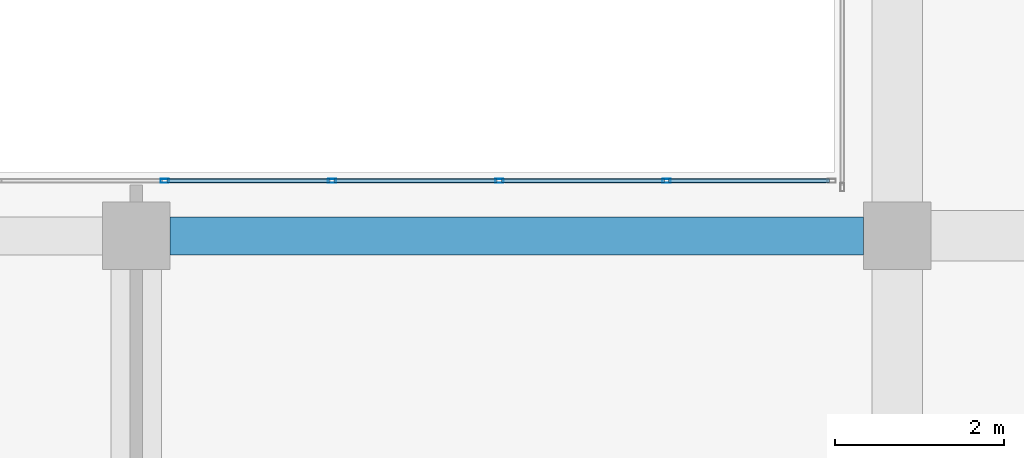
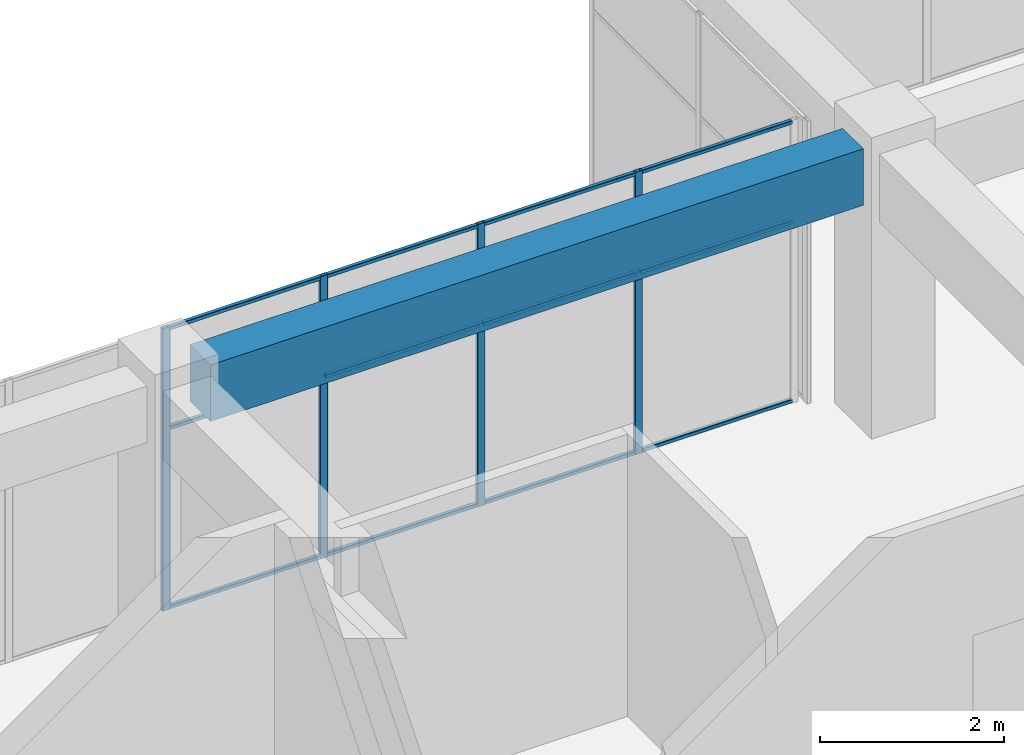
# One storey, part 33 of 55: 16 members, 1 beam, 1 element without a shape of its own.
"""IFC4 building model written with IfcOpenShell, lengths in metres."""

from ifc_helpers import new_model, si_unit, direction, frame, origin, origin_2d, place, context, subcontext, project, spatial, rectangle, hollow_rectangle, extrude, material, layer, layer_set, material_profile, profile_set, type_object, element, aggregate, save


model = new_model("IFC4")

# Units and contexts
model_context = context("Model", 3, precision=1e-05, world=origin(), true_north=direction((0.0, 1.0)))
body_context = subcontext(model_context, "Body", "Model", "MODEL_VIEW")
ifc_project = project(units=[si_unit("LENGTHUNIT", "METRE"), si_unit("AREAUNIT", "SQUARE_METRE"), si_unit("VOLUMEUNIT", "CUBIC_METRE"), si_unit("PLANEANGLEUNIT", "RADIAN"), si_unit("MASSUNIT", "GRAM", prefix="KILO")], contexts=[model_context])

# Site, building, storey
site_placement = place(None, origin())
site = spatial("IfcSite", under=ifc_project, at=site_placement, CompositionType="ELEMENT")
building_placement = place(site_placement, origin())
building = spatial("IfcBuilding", under=site, at=building_placement, Name="Tuart Plaza Theatre", CompositionType="ELEMENT")
storey_placement = place(building_placement, frame((0.0, 0.0, 21.5)))
storey = spatial("IfcBuildingStorey", under=building, at=storey_placement, Name="L05", CompositionType="ELEMENT", Elevation=21.5)

# Beam
ifc_material_1 = material(Name="Concrete N40 (40 MPa)", Category="concrete")
ifc_material_profile_1 = material_profile(ifc_material_1, rectangle(XDim=0.449951171875, YDim=0.75, at=origin_2d()), Name="BEAM 450x750 Concrete N40 (40 MPa)")
ifc_profile_set_1 = profile_set([ifc_material_profile_1], Name="Concrete N40 (40 MPa)")
beam_type = type_object("IfcBeamType", Name="BEAM 450x750 Concrete N40 (40 MPa)", PredefinedType="BEAM", material=ifc_profile_set_1)
beam_placement = place(storey_placement, frame((123.39990234375, 92.0, 3.375), z_axis=(1.0, 0.0, 0.0), x_axis=(0.0, 1.0, 0.0)))
element("IfcBeam", 1, at=beam_placement, inside=storey, type_object=beam_type, Name="RB219", PredefinedType="BEAM", context=body_context, shape_type="SweptSolid", body=[
    extrude(rectangle(XDim=0.449951171875, YDim=0.75, at=origin_2d()), origin(), (0.0, 0.0, 1.0), 8.2001953125),
])

# Curtain wall, members
ifc_material_2 = material(Name="Aluminium and glass", Category="aluminium")
ifc_layer = layer(ifc_material_2, 0.10009765625)
ifc_layer_set = layer_set([ifc_layer], Name="CURTAIN WALL 2000 module")
curtain_wall_type = type_object("IfcCurtainWallType", Name="CURTAIN WALL 2000 module", PredefinedType="NOTDEFINED", material=ifc_layer_set)
curtain_wall_placement = place(storey_placement, origin())
curtain_wall = element("IfcCurtainWall", 2, at=curtain_wall_placement, inside=storey, type_object=curtain_wall_type, Name="CW84", PredefinedType="NOTDEFINED")
ifc_material_3 = material(Name="Aluminium 6063-T5", Category="aluminium")
ifc_material_profile_2 = material_profile(ifc_material_3, hollow_rectangle(XDim=0.050048828125, YDim=0.10009765625, WallThickness=0.00390625, InnerFilletRadius=0.00390625, OuterFilletRadius=0.008056640625, at=origin_2d()), Name="RHS 100x50x4")
ifc_profile_set_2 = profile_set([ifc_material_profile_2], Name="Aluminium 6063-T5")
member_type_1 = type_object("IfcMemberType", Name="MULLION RHS 100x50x4", PredefinedType="MULLION", material=ifc_profile_set_2)
member_1_placement = place(storey_placement, frame((129.272216796875, 92.64990234375, 0.0), z_axis=(0.0, 0.0, 1.0), x_axis=(0.0, -1.0, 0.0)))
member_1 = element("IfcMember", 3, at=member_1_placement, type_object=member_type_1, Name="CW84 mullion 2", PredefinedType="MULLION", context=body_context, shape_type="SweptSolid", body=[
    extrude(hollow_rectangle(XDim=0.050048828125, YDim=0.10009765625, WallThickness=0.00390625, InnerFilletRadius=0.00390625, OuterFilletRadius=0.008056640625, at=origin_2d()), origin(), (0.0, 0.0, 1.0), 3.75),
])
member_2_placement = place(storey_placement, frame((127.29443359375, 92.64990234375, 0.0), z_axis=(0.0, 0.0, 1.0), x_axis=(0.0, -1.0, 0.0)))
member_2 = element("IfcMember", 4, at=member_2_placement, type_object=member_type_1, Name="CW84 mullion 3", PredefinedType="MULLION", context=body_context, shape_type="SweptSolid", body=[
    extrude(hollow_rectangle(XDim=0.050048828125, YDim=0.10009765625, WallThickness=0.00390625, InnerFilletRadius=0.00390625, OuterFilletRadius=0.008056640625, at=origin_2d()), origin(), (0.0, 0.0, 1.0), 3.75),
])
member_3_placement = place(storey_placement, frame((125.316650390625, 92.64990234375, 0.0), z_axis=(0.0, 0.0, 1.0), x_axis=(0.0, -1.0, 0.0)))
member_3 = element("IfcMember", 5, at=member_3_placement, type_object=member_type_1, Name="CW84 mullion 4", PredefinedType="MULLION", context=body_context, shape_type="SweptSolid", body=[
    extrude(hollow_rectangle(XDim=0.050048828125, YDim=0.10009765625, WallThickness=0.00390625, InnerFilletRadius=0.00390625, OuterFilletRadius=0.008056640625, at=origin_2d()), origin(), (0.0, 0.0, 1.0), 3.75),
])
member_4_placement = place(storey_placement, frame((123.3388671875, 92.64990234375, 0.0), z_axis=(0.0, 0.0, 1.0), x_axis=(0.0, -1.0, 0.0)))
member_4 = element("IfcMember", 6, at=member_4_placement, type_object=member_type_1, Name="CW84 mullion 5", PredefinedType="MULLION", context=body_context, shape_type="SweptSolid", body=[
    extrude(hollow_rectangle(XDim=0.050048828125, YDim=0.10009765625, WallThickness=0.00390625, InnerFilletRadius=0.00390625, OuterFilletRadius=0.008056640625, at=origin_2d()), origin(), (0.0, 0.0, 1.0), 3.75),
])
ifc_material_4 = material(Name="Aluminium 6063-T5", Category="aluminium")
ifc_material_profile_3 = material_profile(ifc_material_4, hollow_rectangle(XDim=0.050048828125, YDim=0.050048828125, WallThickness=0.00390625, InnerFilletRadius=0.00390625, OuterFilletRadius=0.008056640625, at=origin_2d()), Name="RHS 50x50x4")
ifc_profile_set_3 = profile_set([ifc_material_profile_3], Name="Aluminium 6063-T5")
member_type_2 = type_object("IfcMemberType", Name="TRANSOM RHS 50x50x4", PredefinedType="USERDEFINED", material=ifc_profile_set_3)
member_5_placement = place(storey_placement, frame((131.199951171875, 92.64990234375, 0.02490234375), z_axis=(-1.0, 0.0, 0.0), x_axis=(0.0, -1.0, 0.0)))
member_5 = element("IfcMember", 7, at=member_5_placement, type_object=member_type_2, Name="CW84 transom 1.1", ObjectType="TRANSOM", PredefinedType="USERDEFINED", context=body_context, shape_type="SweptSolid", body=[
    extrude(hollow_rectangle(XDim=0.050048828125, YDim=0.050048828125, WallThickness=0.00390625, InnerFilletRadius=0.00390625, OuterFilletRadius=0.008056640625, at=origin_2d()), origin(), (0.0, 0.0, 1.0), 1.90283203125),
])
member_6_placement = place(storey_placement, frame((131.199951171875, 92.64990234375, 2.39990234375), z_axis=(-1.0, 0.0, 0.0), x_axis=(0.0, -1.0, 0.0)))
member_6 = element("IfcMember", 8, at=member_6_placement, type_object=member_type_2, Name="CW84 transom 1.2", ObjectType="TRANSOM", PredefinedType="USERDEFINED", context=body_context, shape_type="SweptSolid", body=[
    extrude(hollow_rectangle(XDim=0.050048828125, YDim=0.050048828125, WallThickness=0.00390625, InnerFilletRadius=0.00390625, OuterFilletRadius=0.008056640625, at=origin_2d()), origin(), (0.0, 0.0, 1.0), 1.90283203125),
])
member_7_placement = place(storey_placement, frame((131.199951171875, 92.64990234375, 3.72509765625), z_axis=(-1.0, 0.0, 0.0), x_axis=(0.0, -1.0, 0.0)))
member_7 = element("IfcMember", 9, at=member_7_placement, type_object=member_type_2, Name="CW84 transom 1.3", ObjectType="TRANSOM", PredefinedType="USERDEFINED", context=body_context, shape_type="SweptSolid", body=[
    extrude(hollow_rectangle(XDim=0.050048828125, YDim=0.050048828125, WallThickness=0.00390625, InnerFilletRadius=0.00390625, OuterFilletRadius=0.008056640625, at=origin_2d()), origin(), (0.0, 0.0, 1.0), 1.90283203125),
])
member_8_placement = place(storey_placement, frame((129.247314453125, 92.64990234375, 0.02490234375), z_axis=(-1.0, 0.0, 0.0), x_axis=(0.0, -1.0, 0.0)))
member_8 = element("IfcMember", 10, at=member_8_placement, type_object=member_type_2, Name="CW84 transom 2.1", ObjectType="TRANSOM", PredefinedType="USERDEFINED", context=body_context, shape_type="SweptSolid", body=[
    extrude(hollow_rectangle(XDim=0.050048828125, YDim=0.050048828125, WallThickness=0.00390625, InnerFilletRadius=0.00390625, OuterFilletRadius=0.008056640625, at=origin_2d()), origin(), (0.0, 0.0, 1.0), 1.927978515625),
])
member_9_placement = place(storey_placement, frame((129.247314453125, 92.64990234375, 2.39990234375), z_axis=(-1.0, 0.0, 0.0), x_axis=(0.0, -1.0, 0.0)))
member_9 = element("IfcMember", 11, at=member_9_placement, type_object=member_type_2, Name="CW84 transom 2.2", ObjectType="TRANSOM", PredefinedType="USERDEFINED", context=body_context, shape_type="SweptSolid", body=[
    extrude(hollow_rectangle(XDim=0.050048828125, YDim=0.050048828125, WallThickness=0.00390625, InnerFilletRadius=0.00390625, OuterFilletRadius=0.008056640625, at=origin_2d()), origin(), (0.0, 0.0, 1.0), 1.927978515625),
])
member_10_placement = place(storey_placement, frame((129.247314453125, 92.64990234375, 3.72509765625), z_axis=(-1.0, 0.0, 0.0), x_axis=(0.0, -1.0, 0.0)))
member_10 = element("IfcMember", 12, at=member_10_placement, type_object=member_type_2, Name="CW84 transom 2.3", ObjectType="TRANSOM", PredefinedType="USERDEFINED", context=body_context, shape_type="SweptSolid", body=[
    extrude(hollow_rectangle(XDim=0.050048828125, YDim=0.050048828125, WallThickness=0.00390625, InnerFilletRadius=0.00390625, OuterFilletRadius=0.008056640625, at=origin_2d()), origin(), (0.0, 0.0, 1.0), 1.927978515625),
])
member_11_placement = place(storey_placement, frame((127.26953125, 92.64990234375, 0.02490234375), z_axis=(-1.0, 0.0, 0.0), x_axis=(0.0, -1.0, 0.0)))
member_11 = element("IfcMember", 13, at=member_11_placement, type_object=member_type_2, Name="CW84 transom 3.1", ObjectType="TRANSOM", PredefinedType="USERDEFINED", context=body_context, shape_type="SweptSolid", body=[
    extrude(hollow_rectangle(XDim=0.050048828125, YDim=0.050048828125, WallThickness=0.00390625, InnerFilletRadius=0.00390625, OuterFilletRadius=0.008056640625, at=origin_2d()), origin(), (0.0, 0.0, 1.0), 1.927978515625),
])
member_12_placement = place(storey_placement, frame((127.26953125, 92.64990234375, 2.39990234375), z_axis=(-1.0, 0.0, 0.0), x_axis=(0.0, -1.0, 0.0)))
member_12 = element("IfcMember", 14, at=member_12_placement, type_object=member_type_2, Name="CW84 transom 3.2", ObjectType="TRANSOM", PredefinedType="USERDEFINED", context=body_context, shape_type="SweptSolid", body=[
    extrude(hollow_rectangle(XDim=0.050048828125, YDim=0.050048828125, WallThickness=0.00390625, InnerFilletRadius=0.00390625, OuterFilletRadius=0.008056640625, at=origin_2d()), origin(), (0.0, 0.0, 1.0), 1.927978515625),
])
member_13_placement = place(storey_placement, frame((127.26953125, 92.64990234375, 3.72509765625), z_axis=(-1.0, 0.0, 0.0), x_axis=(0.0, -1.0, 0.0)))
member_13 = element("IfcMember", 15, at=member_13_placement, type_object=member_type_2, Name="CW84 transom 3.3", ObjectType="TRANSOM", PredefinedType="USERDEFINED", context=body_context, shape_type="SweptSolid", body=[
    extrude(hollow_rectangle(XDim=0.050048828125, YDim=0.050048828125, WallThickness=0.00390625, InnerFilletRadius=0.00390625, OuterFilletRadius=0.008056640625, at=origin_2d()), origin(), (0.0, 0.0, 1.0), 1.927978515625),
])
member_14_placement = place(storey_placement, frame((125.291748046875, 92.64990234375, 0.02490234375), z_axis=(-1.0, 0.0, 0.0), x_axis=(0.0, -1.0, 0.0)))
member_14 = element("IfcMember", 16, at=member_14_placement, type_object=member_type_2, Name="CW84 transom 4.1", ObjectType="TRANSOM", PredefinedType="USERDEFINED", context=body_context, shape_type="SweptSolid", body=[
    extrude(hollow_rectangle(XDim=0.050048828125, YDim=0.050048828125, WallThickness=0.00390625, InnerFilletRadius=0.00390625, OuterFilletRadius=0.008056640625, at=origin_2d()), origin(), (0.0, 0.0, 1.0), 1.927978515625),
])
member_15_placement = place(storey_placement, frame((125.291748046875, 92.64990234375, 2.39990234375), z_axis=(-1.0, 0.0, 0.0), x_axis=(0.0, -1.0, 0.0)))
member_15 = element("IfcMember", 17, at=member_15_placement, type_object=member_type_2, Name="CW84 transom 4.2", ObjectType="TRANSOM", PredefinedType="USERDEFINED", context=body_context, shape_type="SweptSolid", body=[
    extrude(hollow_rectangle(XDim=0.050048828125, YDim=0.050048828125, WallThickness=0.00390625, InnerFilletRadius=0.00390625, OuterFilletRadius=0.008056640625, at=origin_2d()), origin(), (0.0, 0.0, 1.0), 1.927978515625),
])
member_16_placement = place(storey_placement, frame((125.291748046875, 92.64990234375, 3.72509765625), z_axis=(-1.0, 0.0, 0.0), x_axis=(0.0, -1.0, 0.0)))
member_16 = element("IfcMember", 18, at=member_16_placement, type_object=member_type_2, Name="CW84 transom 4.3", ObjectType="TRANSOM", PredefinedType="USERDEFINED", context=body_context, shape_type="SweptSolid", body=[
    extrude(hollow_rectangle(XDim=0.050048828125, YDim=0.050048828125, WallThickness=0.00390625, InnerFilletRadius=0.00390625, OuterFilletRadius=0.008056640625, at=origin_2d()), origin(), (0.0, 0.0, 1.0), 1.927978515625),
])
aggregate(curtain_wall, [member_1, member_2, member_3, member_4, member_5, member_6, member_7, member_8, member_9, member_10, member_11, member_12, member_13, member_14, member_15, member_16])

save(model, "model.ifc")
